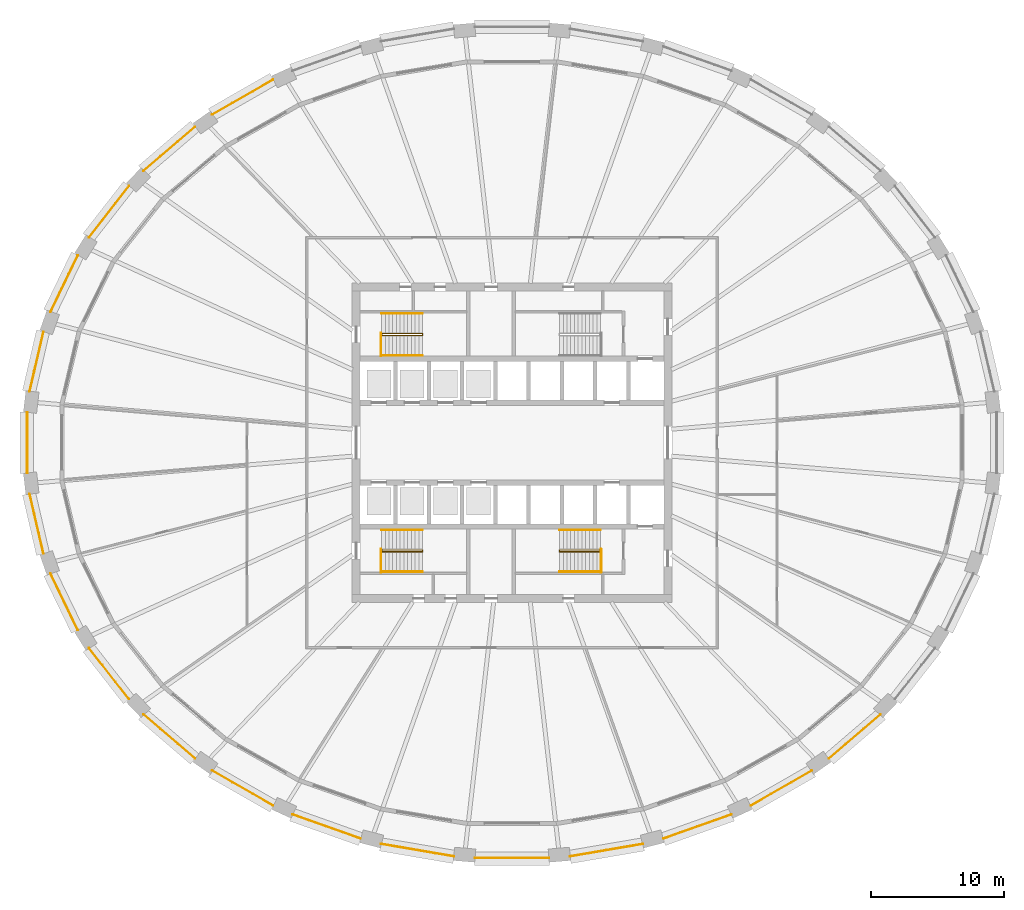
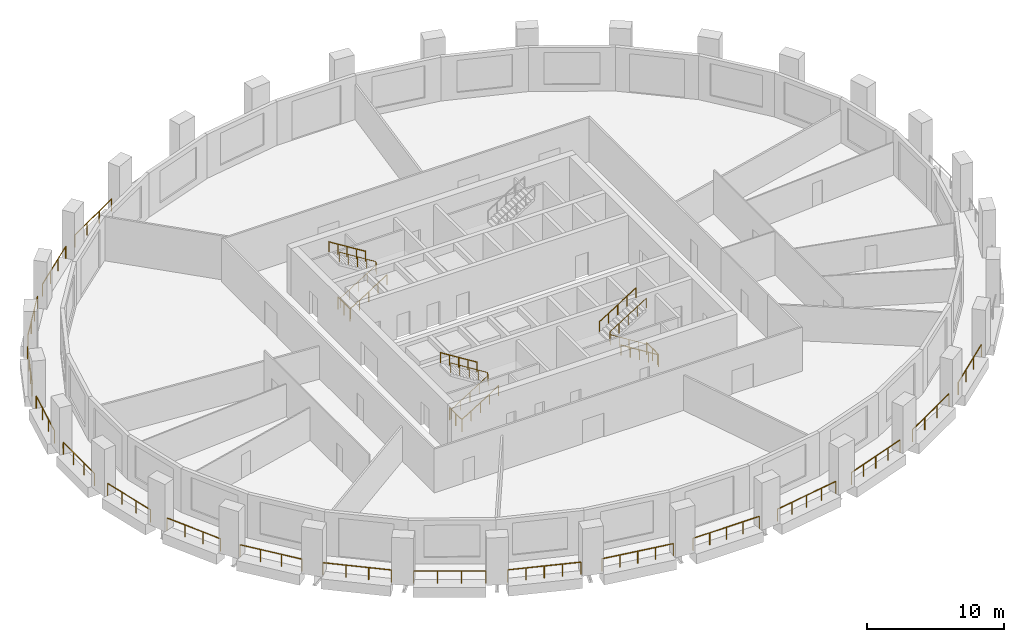
# One storey, part 9 of 11: 30 railings.
"""IFC4 building model written with IfcOpenShell, lengths in metres."""

from ifc_helpers import new_model, si_unit, direction, frame, origin, origin_2d, place, context, subcontext, project, spatial, circle, extrude, material, type_object, element, save


model = new_model("IFC4")

# Units and contexts
model_context = context("Model", 3, precision=1e-05, world=origin(), true_north=direction((0.0, 1.0)))
body_context = subcontext(model_context, "Body", "Model", "MODEL_VIEW")
ifc_project = project(units=[si_unit("LENGTHUNIT", "METRE"), si_unit("AREAUNIT", "SQUARE_METRE"), si_unit("VOLUMEUNIT", "CUBIC_METRE"), si_unit("PLANEANGLEUNIT", "RADIAN"), si_unit("MASSUNIT", "GRAM", prefix="KILO")], contexts=[model_context])

# Site, building, storey
site_placement = place(None, origin())
site = spatial("IfcSite", under=ifc_project, at=site_placement, CompositionType="ELEMENT")
building_placement = place(site_placement, origin())
building = spatial("IfcBuilding", under=site, at=building_placement, Name="Halqa Exchange Tower", CompositionType="ELEMENT")
storey_placement = place(building_placement, frame((0.0, 0.0, 82.300048828125)))
storey = spatial("IfcBuildingStorey", under=building, at=storey_placement, Name="L18", CompositionType="ELEMENT", Elevation=82.300048828125)

# Railings
ifc_material = material(Name="Stainless steel", Category="steel")
railing_type_1 = type_object("IfcRailingType", Name="Guard 1100 stainless steel", PredefinedType="GUARDRAIL", material=ifc_material)
railing_1_placement = place(storey_placement, frame((-17.941162109375, 27.259521484375, 0.0)))
element("IfcRailing", 1, at=railing_1_placement, inside=storey, type_object=railing_type_1, Name="Loggia guard 11", PredefinedType="GUARDRAIL", context=body_context, shape_type="SweptSolid", body=[
    extrude(circle(Radius=0.02392578125, at=origin_2d()), frame((0.0, 0.0, 1.076171875), z_axis=(-0.867763985316, -0.496976524383, 0.0), x_axis=(0.496976524383, -0.867763985316, 0.0)), (0.0, 0.0, 1.0), 5.272216796875),
    extrude(circle(Radius=0.02099609375, at=origin_2d()), origin(), (0.0, 0.0, 1.0), 1.052001953125),
    extrude(circle(Radius=0.02099609375, at=origin_2d()), frame((-1.52490234375, -0.873291015625, 0.0)), (0.0, 0.0, 1.0), 1.052001953125),
    extrude(circle(Radius=0.02099609375, at=origin_2d()), frame((-3.050048828125, -1.746826171875, 0.0)), (0.0, 0.0, 1.0), 1.052001953125),
    extrude(circle(Radius=0.02099609375, at=origin_2d()), frame((-4.574951171875, -2.6201171875, 0.0)), (0.0, 0.0, 1.0), 1.052001953125),
])
railing_2_placement = place(storey_placement, frame((-23.81787109375, 23.72119140625, 0.0)))
element("IfcRailing", 2, at=railing_2_placement, inside=storey, type_object=railing_type_1, Name="Loggia guard 12", PredefinedType="GUARDRAIL", context=body_context, shape_type="SweptSolid", body=[
    extrude(circle(Radius=0.02392578125, at=origin_2d()), frame((0.0, 0.0, 1.076171875), z_axis=(-0.759239638954, -0.65081116358, 0.0), x_axis=(0.65081116358, -0.759239638954, 0.0)), (0.0, 0.0, 1.0), 5.07958984375),
    extrude(circle(Radius=0.02099609375, at=origin_2d()), origin(), (0.0, 0.0, 1.0), 1.052001953125),
    extrude(circle(Radius=0.02099609375, at=origin_2d()), frame((-1.28564453125, -1.10205078125, 0.0)), (0.0, 0.0, 1.0), 1.052001953125),
    extrude(circle(Radius=0.02099609375, at=origin_2d()), frame((-2.571044921875, -2.203857421875, 0.0)), (0.0, 0.0, 1.0), 1.052001953125),
    extrude(circle(Radius=0.02099609375, at=origin_2d()), frame((-3.856689453125, -3.305908203125, 0.0)), (0.0, 0.0, 1.0), 1.052001953125),
])
railing_3_placement = place(storey_placement, frame((-28.773681640625, 19.263671875, 0.0)))
element("IfcRailing", 3, at=railing_3_placement, inside=storey, type_object=railing_type_1, Name="Loggia guard 13", PredefinedType="GUARDRAIL", context=body_context, shape_type="SweptSolid", body=[
    extrude(circle(Radius=0.02392578125, at=origin_2d()), frame((0.0, 0.0, 1.076171875), z_axis=(-0.614843957757, -0.788648785969, 0.0), x_axis=(0.788648785969, -0.614843957757, 0.0)), (0.0, 0.0, 1.0), 4.88134765625),
    extrude(circle(Radius=0.02099609375, at=origin_2d()), origin(), (0.0, 0.0, 1.0), 1.052001953125),
    extrude(circle(Radius=0.02099609375, at=origin_2d()), frame((-1.00048828125, -1.283203125, 0.0)), (0.0, 0.0, 1.0), 1.052001953125),
    extrude(circle(Radius=0.02099609375, at=origin_2d()), frame((-2.000732421875, -2.56640625, 0.0)), (0.0, 0.0, 1.0), 1.052001953125),
    extrude(circle(Radius=0.02099609375, at=origin_2d()), frame((-3.001220703125, -3.849609375, 0.0)), (0.0, 0.0, 1.0), 1.052001953125),
])
railing_4_placement = place(storey_placement, frame((-32.61474609375, 14.062744140625, 0.0)))
element("IfcRailing", 4, at=railing_4_placement, inside=storey, type_object=railing_type_1, Name="Loggia guard 14", PredefinedType="GUARDRAIL", context=body_context, shape_type="SweptSolid", body=[
    extrude(circle(Radius=0.02392578125, at=origin_2d()), frame((0.0, 0.0, 1.076171875), z_axis=(-0.435121720031, -0.900371639245, 0.0), x_axis=(0.900371639245, -0.435121720031, 0.0)), (0.0, 0.0, 1.0), 4.7080078125),
    extrude(circle(Radius=0.02099609375, at=origin_2d()), origin(), (0.0, 0.0, 1.0), 1.052001953125),
    extrude(circle(Radius=0.02099609375, at=origin_2d()), frame((-0.682861328125, -1.4130859375, 0.0)), (0.0, 0.0, 1.0), 1.052001953125),
    extrude(circle(Radius=0.02099609375, at=origin_2d()), frame((-1.36572265625, -2.825927734375, 0.0)), (0.0, 0.0, 1.0), 1.052001953125),
    extrude(circle(Radius=0.02099609375, at=origin_2d()), frame((-2.048583984375, -4.239013671875, 0.0)), (0.0, 0.0, 1.0), 1.052001953125),
])
railing_5_placement = place(storey_placement, frame((-35.1923828125, 8.32421875, 0.0)))
element("IfcRailing", 5, at=railing_5_placement, inside=storey, type_object=railing_type_1, Name="Loggia guard 15", PredefinedType="GUARDRAIL", context=body_context, shape_type="SweptSolid", body=[
    extrude(circle(Radius=0.02392578125, at=origin_2d()), frame((0.0, 0.0, 1.076171875), z_axis=(-0.226005331928, -0.974126064706, 0.0), x_axis=(0.974126064706, -0.226005331928, 0.0)), (0.0, 0.0, 1.0), 4.58984375),
    extrude(circle(Radius=0.02099609375, at=origin_2d()), origin(), (0.0, 0.0, 1.0), 1.052001953125),
    extrude(circle(Radius=0.02099609375, at=origin_2d()), frame((-0.345703125, -1.490478515625, 0.0)), (0.0, 0.0, 1.0), 1.052001953125),
    extrude(circle(Radius=0.02099609375, at=origin_2d()), frame((-0.691650390625, -2.980712890625, 0.0)), (0.0, 0.0, 1.0), 1.052001953125),
    extrude(circle(Radius=0.02099609375, at=origin_2d()), frame((-1.037353515625, -4.47119140625, 0.0)), (0.0, 0.0, 1.0), 1.052001953125),
])
railing_6_placement = place(storey_placement, frame((-36.41064453125, 2.273681640625, 0.0)))
element("IfcRailing", 6, at=railing_6_placement, inside=storey, type_object=railing_type_1, Name="Loggia guard 16", PredefinedType="GUARDRAIL", context=body_context, shape_type="SweptSolid", body=[
    extrude(circle(Radius=0.02392578125, at=origin_2d()), frame((0.0, 0.0, 1.076171875), z_axis=(0.0, -1.0, 0.0), x_axis=(1.0, 0.0, 0.0)), (0.0, 0.0, 1.0), 4.54736328125),
    extrude(circle(Radius=0.02099609375, at=origin_2d()), origin(), (0.0, 0.0, 1.0), 1.052001953125),
    extrude(circle(Radius=0.02099609375, at=origin_2d()), frame((0.0, -1.515869140625, 0.0)), (0.0, 0.0, 1.0), 1.052001953125),
    extrude(circle(Radius=0.02099609375, at=origin_2d()), frame((0.0, -3.031494140625, 0.0)), (0.0, 0.0, 1.0), 1.052001953125),
    extrude(circle(Radius=0.02099609375, at=origin_2d()), frame((0.0, -4.54736328125, 0.0)), (0.0, 0.0, 1.0), 1.052001953125),
])
railing_7_placement = place(storey_placement, frame((-36.229736328125, -3.85302734375, 0.0)))
element("IfcRailing", 7, at=railing_7_placement, inside=storey, type_object=railing_type_1, Name="Loggia guard 17", PredefinedType="GUARDRAIL", context=body_context, shape_type="SweptSolid", body=[
    extrude(circle(Radius=0.02392578125, at=origin_2d()), frame((0.0, 0.0, 1.076171875), z_axis=(0.226005331928, -0.974126064706, 0.0), x_axis=(0.974126064706, 0.226005331928, 0.0)), (0.0, 0.0, 1.0), 4.58984375),
    extrude(circle(Radius=0.02099609375, at=origin_2d()), origin(), (0.0, 0.0, 1.0), 1.052001953125),
    extrude(circle(Radius=0.02099609375, at=origin_2d()), frame((0.345703125, -1.490478515625, 0.0)), (0.0, 0.0, 1.0), 1.052001953125),
    extrude(circle(Radius=0.02099609375, at=origin_2d()), frame((0.691650390625, -2.980712890625, 0.0)), (0.0, 0.0, 1.0), 1.052001953125),
    extrude(circle(Radius=0.02099609375, at=origin_2d()), frame((1.037353515625, -4.47119140625, 0.0)), (0.0, 0.0, 1.0), 1.052001953125),
])
railing_8_placement = place(storey_placement, frame((-34.663330078125, -9.82373046875, 0.0)))
element("IfcRailing", 8, at=railing_8_placement, inside=storey, type_object=railing_type_1, Name="Loggia guard 18", PredefinedType="GUARDRAIL", context=body_context, shape_type="SweptSolid", body=[
    extrude(circle(Radius=0.02392578125, at=origin_2d()), frame((0.0, 0.0, 1.076171875), z_axis=(0.435121720031, -0.900371639245, 0.0), x_axis=(0.900371639245, 0.435121720031, 0.0)), (0.0, 0.0, 1.0), 4.7080078125),
    extrude(circle(Radius=0.02099609375, at=origin_2d()), origin(), (0.0, 0.0, 1.0), 1.052001953125),
    extrude(circle(Radius=0.02099609375, at=origin_2d()), frame((0.682861328125, -1.4130859375, 0.0)), (0.0, 0.0, 1.0), 1.052001953125),
    extrude(circle(Radius=0.02099609375, at=origin_2d()), frame((1.36572265625, -2.825927734375, 0.0)), (0.0, 0.0, 1.0), 1.052001953125),
    extrude(circle(Radius=0.02099609375, at=origin_2d()), frame((2.048583984375, -4.239013671875, 0.0)), (0.0, 0.0, 1.0), 1.052001953125),
])
railing_9_placement = place(storey_placement, frame((-31.77490234375, -15.4140625, 0.0)))
element("IfcRailing", 9, at=railing_9_placement, inside=storey, type_object=railing_type_1, Name="Loggia guard 19", PredefinedType="GUARDRAIL", context=body_context, shape_type="SweptSolid", body=[
    extrude(circle(Radius=0.02392578125, at=origin_2d()), frame((0.0, 0.0, 1.076171875), z_axis=(0.614843957757, -0.788648785969, 0.0), x_axis=(0.788648785969, 0.614843957757, 0.0)), (0.0, 0.0, 1.0), 4.88134765625),
    extrude(circle(Radius=0.02099609375, at=origin_2d()), origin(), (0.0, 0.0, 1.0), 1.052001953125),
    extrude(circle(Radius=0.02099609375, at=origin_2d()), frame((1.00048828125, -1.283203125, 0.0)), (0.0, 0.0, 1.0), 1.052001953125),
    extrude(circle(Radius=0.02099609375, at=origin_2d()), frame((2.000732421875, -2.56640625, 0.0)), (0.0, 0.0, 1.0), 1.052001953125),
    extrude(circle(Radius=0.02099609375, at=origin_2d()), frame((3.001220703125, -3.849609375, 0.0)), (0.0, 0.0, 1.0), 1.052001953125),
])
railing_10_placement = place(storey_placement, frame((-27.674560546875, -20.415283203125, 0.0)))
element("IfcRailing", 10, at=railing_10_placement, inside=storey, type_object=railing_type_1, Name="Loggia guard 20", PredefinedType="GUARDRAIL", context=body_context, shape_type="SweptSolid", body=[
    extrude(circle(Radius=0.02392578125, at=origin_2d()), frame((0.0, 0.0, 1.076171875), z_axis=(0.759239638954, -0.65081116358, 0.0), x_axis=(0.65081116358, 0.759239638954, 0.0)), (0.0, 0.0, 1.0), 5.07958984375),
    extrude(circle(Radius=0.02099609375, at=origin_2d()), origin(), (0.0, 0.0, 1.0), 1.052001953125),
    extrude(circle(Radius=0.02099609375, at=origin_2d()), frame((1.28564453125, -1.10205078125, 0.0)), (0.0, 0.0, 1.0), 1.052001953125),
    extrude(circle(Radius=0.02099609375, at=origin_2d()), frame((2.571044921875, -2.203857421875, 0.0)), (0.0, 0.0, 1.0), 1.052001953125),
    extrude(circle(Radius=0.02099609375, at=origin_2d()), frame((3.856689453125, -3.305908203125, 0.0)), (0.0, 0.0, 1.0), 1.052001953125),
])
railing_11_placement = place(storey_placement, frame((-22.51611328125, -24.639404296875, 0.0)))
element("IfcRailing", 11, at=railing_11_placement, inside=storey, type_object=railing_type_1, Name="Loggia guard 21", PredefinedType="GUARDRAIL", context=body_context, shape_type="SweptSolid", body=[
    extrude(circle(Radius=0.02392578125, at=origin_2d()), frame((0.0, 0.0, 1.076171875), z_axis=(0.867763985316, -0.496976524383, 0.0), x_axis=(0.496976524383, 0.867763985316, 0.0)), (0.0, 0.0, 1.0), 5.272216796875),
    extrude(circle(Radius=0.02099609375, at=origin_2d()), origin(), (0.0, 0.0, 1.0), 1.052001953125),
    extrude(circle(Radius=0.02099609375, at=origin_2d()), frame((1.52490234375, -0.873291015625, 0.0)), (0.0, 0.0, 1.0), 1.052001953125),
    extrude(circle(Radius=0.02099609375, at=origin_2d()), frame((3.050048828125, -1.746826171875, 0.0)), (0.0, 0.0, 1.0), 1.052001953125),
    extrude(circle(Radius=0.02099609375, at=origin_2d()), frame((4.574951171875, -2.6201171875, 0.0)), (0.0, 0.0, 1.0), 1.052001953125),
])
railing_12_placement = place(storey_placement, frame((-16.492919921875, -27.9248046875, 0.0)))
element("IfcRailing", 12, at=railing_12_placement, inside=storey, type_object=railing_type_1, Name="Loggia guard 22", PredefinedType="GUARDRAIL", context=body_context, shape_type="SweptSolid", body=[
    extrude(circle(Radius=0.02392578125, at=origin_2d()), frame((0.0, 0.0, 1.076171875), z_axis=(0.942359637488, -0.334601723895, 0.0), x_axis=(0.334601723895, 0.942359637488, 0.0)), (0.0, 0.0, 1.0), 5.431396484375),
    extrude(circle(Radius=0.02099609375, at=origin_2d()), origin(), (0.0, 0.0, 1.0), 1.052001953125),
    extrude(circle(Radius=0.02099609375, at=origin_2d()), frame((1.279541015625, -0.454345703125, 0.0)), (0.0, 0.0, 1.0), 1.052001953125),
    extrude(circle(Radius=0.02099609375, at=origin_2d()), frame((2.55908203125, -0.90869140625, 0.0)), (0.0, 0.0, 1.0), 1.052001953125),
    extrude(circle(Radius=0.02099609375, at=origin_2d()), frame((3.8388671875, -1.363037109375, 0.0)), (0.0, 0.0, 1.0), 1.052001953125),
    extrude(circle(Radius=0.02099609375, at=origin_2d()), frame((5.118408203125, -1.8173828125, 0.0)), (0.0, 0.0, 1.0), 1.052001953125),
])
railing_13_placement = place(storey_placement, frame((-9.83203125, -30.144287109375, 0.0)))
element("IfcRailing", 13, at=railing_13_placement, inside=storey, type_object=railing_type_1, Name="Loggia guard 23", PredefinedType="GUARDRAIL", context=body_context, shape_type="SweptSolid", body=[
    extrude(circle(Radius=0.02392578125, at=origin_2d()), frame((0.0, 0.0, 1.076171875), z_axis=(0.985775655673, -0.168066524573, 0.0), x_axis=(0.168066524573, 0.985775655673, 0.0)), (0.0, 0.0, 1.0), 5.5361328125),
    extrude(circle(Radius=0.02099609375, at=origin_2d()), origin(), (0.0, 0.0, 1.0), 1.052001953125),
    extrude(circle(Radius=0.02099609375, at=origin_2d()), frame((1.3642578125, -0.232666015625, 0.0)), (0.0, 0.0, 1.0), 1.052001953125),
    extrude(circle(Radius=0.02099609375, at=origin_2d()), frame((2.728515625, -0.46533203125, 0.0)), (0.0, 0.0, 1.0), 1.052001953125),
    extrude(circle(Radius=0.02099609375, at=origin_2d()), frame((4.093017578125, -0.69775390625, 0.0)), (0.0, 0.0, 1.0), 1.052001953125),
    extrude(circle(Radius=0.02099609375, at=origin_2d()), frame((5.457275390625, -0.930419921875, 0.0)), (0.0, 0.0, 1.0), 1.052001953125),
])
railing_14_placement = place(storey_placement, frame((-2.7861328125, -31.208984375, 0.0)))
element("IfcRailing", 14, at=railing_14_placement, inside=storey, type_object=railing_type_1, Name="Loggia guard 24", PredefinedType="GUARDRAIL", context=body_context, shape_type="SweptSolid", body=[
    extrude(circle(Radius=0.02392578125, at=origin_2d()), frame((0.0, 0.0, 1.076171875), z_axis=(1.0, 0.0, 0.0), x_axis=(0.0, 1.0, 0.0)), (0.0, 0.0, 1.0), 5.572265625),
    extrude(circle(Radius=0.02099609375, at=origin_2d()), origin(), (0.0, 0.0, 1.0), 1.052001953125),
    extrude(circle(Radius=0.02099609375, at=origin_2d()), frame((1.39306640625, 0.0, 0.0)), (0.0, 0.0, 1.0), 1.052001953125),
    extrude(circle(Radius=0.02099609375, at=origin_2d()), frame((2.7861328125, 0.0, 0.0)), (0.0, 0.0, 1.0), 1.052001953125),
    extrude(circle(Radius=0.02099609375, at=origin_2d()), frame((4.17919921875, 0.0, 0.0)), (0.0, 0.0, 1.0), 1.052001953125),
    extrude(circle(Radius=0.02099609375, at=origin_2d()), frame((5.572265625, 0.0, 0.0)), (0.0, 0.0, 1.0), 1.052001953125),
])
railing_15_placement = place(storey_placement, frame((4.374755859375, -31.07470703125, 0.0)))
element("IfcRailing", 15, at=railing_15_placement, inside=storey, type_object=railing_type_1, Name="Loggia guard 25", PredefinedType="GUARDRAIL", context=body_context, shape_type="SweptSolid", body=[
    extrude(circle(Radius=0.02392578125, at=origin_2d()), frame((0.0, 0.0, 1.076171875), z_axis=(0.985775655673, 0.168066524573, 0.0), x_axis=(-0.168066524573, 0.985775655673, 0.0)), (0.0, 0.0, 1.0), 5.5361328125),
    extrude(circle(Radius=0.02099609375, at=origin_2d()), origin(), (0.0, 0.0, 1.0), 1.052001953125),
    extrude(circle(Radius=0.02099609375, at=origin_2d()), frame((1.3642578125, 0.232666015625, 0.0)), (0.0, 0.0, 1.0), 1.052001953125),
    extrude(circle(Radius=0.02099609375, at=origin_2d()), frame((2.728515625, 0.46533203125, 0.0)), (0.0, 0.0, 1.0), 1.052001953125),
    extrude(circle(Radius=0.02099609375, at=origin_2d()), frame((4.093017578125, 0.69775390625, 0.0)), (0.0, 0.0, 1.0), 1.052001953125),
    extrude(circle(Radius=0.02099609375, at=origin_2d()), frame((5.457275390625, 0.930419921875, 0.0)), (0.0, 0.0, 1.0), 1.052001953125),
])
railing_16_placement = place(storey_placement, frame((11.37451171875, -29.7421875, 0.0)))
element("IfcRailing", 16, at=railing_16_placement, inside=storey, type_object=railing_type_1, Name="Loggia guard 26", PredefinedType="GUARDRAIL", context=body_context, shape_type="SweptSolid", body=[
    extrude(circle(Radius=0.02392578125, at=origin_2d()), frame((0.0, 0.0, 1.076171875), z_axis=(0.942359637488, 0.334601723895, 0.0), x_axis=(-0.334601723895, 0.942359637488, 0.0)), (0.0, 0.0, 1.0), 5.431396484375),
    extrude(circle(Radius=0.02099609375, at=origin_2d()), origin(), (0.0, 0.0, 1.0), 1.052001953125),
    extrude(circle(Radius=0.02099609375, at=origin_2d()), frame((1.279541015625, 0.454345703125, 0.0)), (0.0, 0.0, 1.0), 1.052001953125),
    extrude(circle(Radius=0.02099609375, at=origin_2d()), frame((2.55908203125, 0.90869140625, 0.0)), (0.0, 0.0, 1.0), 1.052001953125),
    extrude(circle(Radius=0.02099609375, at=origin_2d()), frame((3.8388671875, 1.363037109375, 0.0)), (0.0, 0.0, 1.0), 1.052001953125),
    extrude(circle(Radius=0.02099609375, at=origin_2d()), frame((5.118408203125, 1.8173828125, 0.0)), (0.0, 0.0, 1.0), 1.052001953125),
])
railing_17_placement = place(storey_placement, frame((17.941162109375, -27.259521484375, 0.0)))
element("IfcRailing", 17, at=railing_17_placement, inside=storey, type_object=railing_type_1, Name="Loggia guard 27", PredefinedType="GUARDRAIL", context=body_context, shape_type="SweptSolid", body=[
    extrude(circle(Radius=0.02392578125, at=origin_2d()), frame((0.0, 0.0, 1.076171875), z_axis=(0.867763985316, 0.496976524383, 0.0), x_axis=(-0.496976524383, 0.867763985316, 0.0)), (0.0, 0.0, 1.0), 5.272216796875),
    extrude(circle(Radius=0.02099609375, at=origin_2d()), origin(), (0.0, 0.0, 1.0), 1.052001953125),
    extrude(circle(Radius=0.02099609375, at=origin_2d()), frame((1.52490234375, 0.873291015625, 0.0)), (0.0, 0.0, 1.0), 1.052001953125),
    extrude(circle(Radius=0.02099609375, at=origin_2d()), frame((3.050048828125, 1.746826171875, 0.0)), (0.0, 0.0, 1.0), 1.052001953125),
    extrude(circle(Radius=0.02099609375, at=origin_2d()), frame((4.574951171875, 2.6201171875, 0.0)), (0.0, 0.0, 1.0), 1.052001953125),
])
railing_18_placement = place(storey_placement, frame((23.81787109375, -23.72119140625, 0.0)))
element("IfcRailing", 18, at=railing_18_placement, inside=storey, type_object=railing_type_1, Name="Loggia guard 28", PredefinedType="GUARDRAIL", context=body_context, shape_type="SweptSolid", body=[
    extrude(circle(Radius=0.02392578125, at=origin_2d()), frame((0.0, 0.0, 1.076171875), z_axis=(0.759239638954, 0.65081116358, 0.0), x_axis=(-0.65081116358, 0.759239638954, 0.0)), (0.0, 0.0, 1.0), 5.07958984375),
    extrude(circle(Radius=0.02099609375, at=origin_2d()), origin(), (0.0, 0.0, 1.0), 1.052001953125),
    extrude(circle(Radius=0.02099609375, at=origin_2d()), frame((1.28564453125, 1.10205078125, 0.0)), (0.0, 0.0, 1.0), 1.052001953125),
    extrude(circle(Radius=0.02099609375, at=origin_2d()), frame((2.571044921875, 2.203857421875, 0.0)), (0.0, 0.0, 1.0), 1.052001953125),
    extrude(circle(Radius=0.02099609375, at=origin_2d()), frame((3.856689453125, 3.305908203125, 0.0)), (0.0, 0.0, 1.0), 1.052001953125),
])
railing_type_2 = type_object("IfcRailingType", Name="Stair handrail 900", PredefinedType="HANDRAIL", material=ifc_material)
railing_19_placement = place(storey_placement, frame((-9.800048828125, 8.06005859375, 0.175048828125)))
element("IfcRailing", 19, at=railing_19_placement, inside=storey, type_object=railing_type_2, Name="Handrail ST1.1", PredefinedType="HANDRAIL", context=body_context, shape_type="SweptSolid", body=[
    extrude(circle(Radius=0.02392578125, at=origin_2d()), frame((0.0, 0.0, 0.8759765625), z_axis=(0.848028513186, 0.0, 0.529950602248), x_axis=(0.0, 1.0, 0.0)), (0.0, 0.0, 1.0), 3.632080078125),
    extrude(circle(Radius=0.02392578125, at=origin_2d()), frame((3.080078125, 0.0, 2.80078125), z_axis=(0.0, 0.595870227118, 0.803080738428), x_axis=(-1.0, 0.0, 0.0)), (0.0, 0.0, 1.0), 0.218017578125),
    extrude(circle(Radius=0.02392578125, at=origin_2d()), frame((3.080078125, 0.1298828125, 2.9755859375), z_axis=(-0.847998304005, 0.0, 0.529998940003), x_axis=(0.0, -1.0, 0.0)), (0.0, 0.0, 1.0), 3.632080078125),
    extrude(circle(Radius=0.02099609375, at=origin_2d()), origin(), (0.0, 0.0, 1.0), 0.851806640625),
    extrude(circle(Radius=0.02099609375, at=origin_2d()), frame((0.77001953125, 0.0, 0.481201171875)), (0.0, 0.0, 1.0), 0.851806640625),
    extrude(circle(Radius=0.02099609375, at=origin_2d()), frame((1.5400390625, 0.0, 0.96240234375)), (0.0, 0.0, 1.0), 0.851806640625),
    extrude(circle(Radius=0.02099609375, at=origin_2d()), frame((2.31005859375, 0.0, 1.443603515625)), (0.0, 0.0, 1.0), 0.851806640625),
    extrude(circle(Radius=0.02099609375, at=origin_2d()), frame((3.080078125, 0.0, 1.9248046875)), (0.0, 0.0, 1.0), 0.851806640625),
    extrude(circle(Radius=0.02099609375, at=origin_2d()), frame((3.080078125, 0.1298828125, 2.099853515625)), (0.0, 0.0, 1.0), 0.851806640625),
    extrude(circle(Radius=0.02099609375, at=origin_2d()), frame((2.31005859375, 0.1298828125, 2.5810546875)), (0.0, 0.0, 1.0), 0.851806640625),
    extrude(circle(Radius=0.02099609375, at=origin_2d()), frame((1.5400390625, 0.1298828125, 3.0625)), (0.0, 0.0, 1.0), 0.851806640625),
    extrude(circle(Radius=0.02099609375, at=origin_2d()), frame((0.77001953125, 0.1298828125, 3.543701171875)), (0.0, 0.0, 1.0), 0.851806640625),
    extrude(circle(Radius=0.02099609375, at=origin_2d()), frame((0.0, 0.1298828125, 4.02490234375)), (0.0, 0.0, 1.0), 0.851806640625),
])
railing_20_placement = place(storey_placement, frame((-9.800048828125, 6.550048828125, 0.175048828125)))
element("IfcRailing", 20, at=railing_20_placement, inside=storey, type_object=railing_type_2, Name="Handrail ST1.2", PredefinedType="HANDRAIL", context=body_context, shape_type="SweptSolid", body=[
    extrude(circle(Radius=0.02392578125, at=origin_2d()), frame((0.0, 0.0, 0.8759765625), z_axis=(0.848028513186, 0.0, 0.529950602248), x_axis=(0.0, 1.0, 0.0)), (0.0, 0.0, 1.0), 3.632080078125),
    extrude(circle(Radius=0.02099609375, at=origin_2d()), origin(), (0.0, 0.0, 1.0), 0.851806640625),
    extrude(circle(Radius=0.02099609375, at=origin_2d()), frame((0.77001953125, 0.0, 0.481201171875)), (0.0, 0.0, 1.0), 0.851806640625),
    extrude(circle(Radius=0.02099609375, at=origin_2d()), frame((1.5400390625, 0.0, 0.96240234375)), (0.0, 0.0, 1.0), 0.851806640625),
    extrude(circle(Radius=0.02099609375, at=origin_2d()), frame((2.31005859375, 0.0, 1.443603515625)), (0.0, 0.0, 1.0), 0.851806640625),
    extrude(circle(Radius=0.02099609375, at=origin_2d()), frame((3.080078125, 0.0, 1.9248046875)), (0.0, 0.0, 1.0), 0.851806640625),
])
railing_21_placement = place(storey_placement, frame((-6.719970703125, 9.699951171875, 2.27490234375)))
element("IfcRailing", 21, at=railing_21_placement, inside=storey, type_object=railing_type_2, Name="Handrail ST1.3", PredefinedType="HANDRAIL", context=body_context, shape_type="SweptSolid", body=[
    extrude(circle(Radius=0.02392578125, at=origin_2d()), frame((0.0, 0.0, 0.8759765625), z_axis=(-0.847998304005, 0.0, 0.529998940003), x_axis=(0.0, -1.0, 0.0)), (0.0, 0.0, 1.0), 3.632080078125),
    extrude(circle(Radius=0.02099609375, at=origin_2d()), origin(), (0.0, 0.0, 1.0), 0.851806640625),
    extrude(circle(Radius=0.02099609375, at=origin_2d()), frame((-0.77001953125, 0.0, 0.481201171875)), (0.0, 0.0, 1.0), 0.851806640625),
    extrude(circle(Radius=0.02099609375, at=origin_2d()), frame((-1.5400390625, 0.0, 0.96240234375)), (0.0, 0.0, 1.0), 0.851806640625),
    extrude(circle(Radius=0.02099609375, at=origin_2d()), frame((-2.31005859375, 0.0, 1.44384765625)), (0.0, 0.0, 1.0), 0.851806640625),
    extrude(circle(Radius=0.02099609375, at=origin_2d()), frame((-3.080078125, 0.0, 1.925048828125)), (0.0, 0.0, 1.0), 0.851806640625),
])
railing_22_placement = place(storey_placement, frame((-9.800048828125, -8.18994140625, 0.175048828125)))
element("IfcRailing", 22, at=railing_22_placement, inside=storey, type_object=railing_type_2, Name="Handrail ST3.1", PredefinedType="HANDRAIL", context=body_context, shape_type="SweptSolid", body=[
    extrude(circle(Radius=0.02392578125, at=origin_2d()), frame((0.0, 0.0, 0.8759765625), z_axis=(0.848028513186, 0.0, 0.529950602248), x_axis=(0.0, 1.0, 0.0)), (0.0, 0.0, 1.0), 3.632080078125),
    extrude(circle(Radius=0.02392578125, at=origin_2d()), frame((3.080078125, 0.0, 2.80078125), z_axis=(0.0, 0.595870227118, 0.803080738428), x_axis=(-1.0, 0.0, 0.0)), (0.0, 0.0, 1.0), 0.218017578125),
    extrude(circle(Radius=0.02392578125, at=origin_2d()), frame((3.080078125, 0.1298828125, 2.9755859375), z_axis=(-0.847998304005, 0.0, 0.529998940003), x_axis=(0.0, -1.0, 0.0)), (0.0, 0.0, 1.0), 3.632080078125),
    extrude(circle(Radius=0.02099609375, at=origin_2d()), origin(), (0.0, 0.0, 1.0), 0.851806640625),
    extrude(circle(Radius=0.02099609375, at=origin_2d()), frame((0.77001953125, 0.0, 0.481201171875)), (0.0, 0.0, 1.0), 0.851806640625),
    extrude(circle(Radius=0.02099609375, at=origin_2d()), frame((1.5400390625, 0.0, 0.96240234375)), (0.0, 0.0, 1.0), 0.851806640625),
    extrude(circle(Radius=0.02099609375, at=origin_2d()), frame((2.31005859375, 0.0, 1.443603515625)), (0.0, 0.0, 1.0), 0.851806640625),
    extrude(circle(Radius=0.02099609375, at=origin_2d()), frame((3.080078125, 0.0, 1.9248046875)), (0.0, 0.0, 1.0), 0.851806640625),
    extrude(circle(Radius=0.02099609375, at=origin_2d()), frame((3.080078125, 0.1298828125, 2.099853515625)), (0.0, 0.0, 1.0), 0.851806640625),
    extrude(circle(Radius=0.02099609375, at=origin_2d()), frame((2.31005859375, 0.1298828125, 2.5810546875)), (0.0, 0.0, 1.0), 0.851806640625),
    extrude(circle(Radius=0.02099609375, at=origin_2d()), frame((1.5400390625, 0.1298828125, 3.0625)), (0.0, 0.0, 1.0), 0.851806640625),
    extrude(circle(Radius=0.02099609375, at=origin_2d()), frame((0.77001953125, 0.1298828125, 3.543701171875)), (0.0, 0.0, 1.0), 0.851806640625),
    extrude(circle(Radius=0.02099609375, at=origin_2d()), frame((0.0, 0.1298828125, 4.02490234375)), (0.0, 0.0, 1.0), 0.851806640625),
])
railing_23_placement = place(storey_placement, frame((-9.800048828125, -9.699951171875, 0.175048828125)))
element("IfcRailing", 23, at=railing_23_placement, inside=storey, type_object=railing_type_2, Name="Handrail ST3.2", PredefinedType="HANDRAIL", context=body_context, shape_type="SweptSolid", body=[
    extrude(circle(Radius=0.02392578125, at=origin_2d()), frame((0.0, 0.0, 0.8759765625), z_axis=(0.848028513186, 0.0, 0.529950602248), x_axis=(0.0, 1.0, 0.0)), (0.0, 0.0, 1.0), 3.632080078125),
    extrude(circle(Radius=0.02099609375, at=origin_2d()), origin(), (0.0, 0.0, 1.0), 0.851806640625),
    extrude(circle(Radius=0.02099609375, at=origin_2d()), frame((0.77001953125, 0.0, 0.481201171875)), (0.0, 0.0, 1.0), 0.851806640625),
    extrude(circle(Radius=0.02099609375, at=origin_2d()), frame((1.5400390625, 0.0, 0.96240234375)), (0.0, 0.0, 1.0), 0.851806640625),
    extrude(circle(Radius=0.02099609375, at=origin_2d()), frame((2.31005859375, 0.0, 1.443603515625)), (0.0, 0.0, 1.0), 0.851806640625),
    extrude(circle(Radius=0.02099609375, at=origin_2d()), frame((3.080078125, 0.0, 1.9248046875)), (0.0, 0.0, 1.0), 0.851806640625),
])
railing_24_placement = place(storey_placement, frame((-6.719970703125, -6.550048828125, 2.27490234375)))
element("IfcRailing", 24, at=railing_24_placement, inside=storey, type_object=railing_type_2, Name="Handrail ST3.3", PredefinedType="HANDRAIL", context=body_context, shape_type="SweptSolid", body=[
    extrude(circle(Radius=0.02392578125, at=origin_2d()), frame((0.0, 0.0, 0.8759765625), z_axis=(-0.847998304005, 0.0, 0.529998940003), x_axis=(0.0, -1.0, 0.0)), (0.0, 0.0, 1.0), 3.632080078125),
    extrude(circle(Radius=0.02099609375, at=origin_2d()), origin(), (0.0, 0.0, 1.0), 0.851806640625),
    extrude(circle(Radius=0.02099609375, at=origin_2d()), frame((-0.77001953125, 0.0, 0.481201171875)), (0.0, 0.0, 1.0), 0.851806640625),
    extrude(circle(Radius=0.02099609375, at=origin_2d()), frame((-1.5400390625, 0.0, 0.96240234375)), (0.0, 0.0, 1.0), 0.851806640625),
    extrude(circle(Radius=0.02099609375, at=origin_2d()), frame((-2.31005859375, 0.0, 1.44384765625)), (0.0, 0.0, 1.0), 0.851806640625),
    extrude(circle(Radius=0.02099609375, at=origin_2d()), frame((-3.080078125, 0.0, 1.925048828125)), (0.0, 0.0, 1.0), 0.851806640625),
])
railing_25_placement = place(storey_placement, frame((6.64990234375, -8.18994140625, 0.175048828125)))
element("IfcRailing", 25, at=railing_25_placement, inside=storey, type_object=railing_type_2, Name="Handrail ST4.1", PredefinedType="HANDRAIL", context=body_context, shape_type="SweptSolid", body=[
    extrude(circle(Radius=0.02392578125, at=origin_2d()), frame((0.0, 0.0, 0.8759765625), z_axis=(-0.848009633417, 0.0, 0.529980812513), x_axis=(0.0, -1.0, 0.0)), (0.0, 0.0, 1.0), 3.6318359375),
    extrude(circle(Radius=0.02392578125, at=origin_2d()), frame((-3.079833984375, 0.0, 2.80078125), z_axis=(0.0, 0.595870227118, 0.803080738428), x_axis=(-1.0, 0.0, 0.0)), (0.0, 0.0, 1.0), 0.218017578125),
    extrude(circle(Radius=0.02392578125, at=origin_2d()), frame((-3.079833984375, 0.1298828125, 2.9755859375), z_axis=(0.847979421464, 0.0, 0.530029150871), x_axis=(0.0, 1.0, 0.0)), (0.0, 0.0, 1.0), 3.632080078125),
    extrude(circle(Radius=0.02099609375, at=origin_2d()), origin(), (0.0, 0.0, 1.0), 0.851806640625),
    extrude(circle(Radius=0.02099609375, at=origin_2d()), frame((-0.77001953125, 0.0, 0.481201171875)), (0.0, 0.0, 1.0), 0.851806640625),
    extrude(circle(Radius=0.02099609375, at=origin_2d()), frame((-1.5400390625, 0.0, 0.96240234375)), (0.0, 0.0, 1.0), 0.851806640625),
    extrude(circle(Radius=0.02099609375, at=origin_2d()), frame((-2.309814453125, 0.0, 1.443603515625)), (0.0, 0.0, 1.0), 0.851806640625),
    extrude(circle(Radius=0.02099609375, at=origin_2d()), frame((-3.079833984375, 0.0, 1.9248046875)), (0.0, 0.0, 1.0), 0.851806640625),
    extrude(circle(Radius=0.02099609375, at=origin_2d()), frame((-3.079833984375, 0.1298828125, 2.099853515625)), (0.0, 0.0, 1.0), 0.851806640625),
    extrude(circle(Radius=0.02099609375, at=origin_2d()), frame((-2.309814453125, 0.1298828125, 2.5810546875)), (0.0, 0.0, 1.0), 0.851806640625),
    extrude(circle(Radius=0.02099609375, at=origin_2d()), frame((-1.5400390625, 0.1298828125, 3.0625)), (0.0, 0.0, 1.0), 0.851806640625),
    extrude(circle(Radius=0.02099609375, at=origin_2d()), frame((-0.77001953125, 0.1298828125, 3.543701171875)), (0.0, 0.0, 1.0), 0.851806640625),
    extrude(circle(Radius=0.02099609375, at=origin_2d()), frame((0.0, 0.1298828125, 4.02490234375)), (0.0, 0.0, 1.0), 0.851806640625),
])
railing_26_placement = place(storey_placement, frame((6.64990234375, -9.699951171875, 0.175048828125)))
element("IfcRailing", 26, at=railing_26_placement, inside=storey, type_object=railing_type_2, Name="Handrail ST4.2", PredefinedType="HANDRAIL", context=body_context, shape_type="SweptSolid", body=[
    extrude(circle(Radius=0.02392578125, at=origin_2d()), frame((0.0, 0.0, 0.8759765625), z_axis=(-0.848009633417, 0.0, 0.529980812513), x_axis=(0.0, -1.0, 0.0)), (0.0, 0.0, 1.0), 3.6318359375),
    extrude(circle(Radius=0.02099609375, at=origin_2d()), origin(), (0.0, 0.0, 1.0), 0.851806640625),
    extrude(circle(Radius=0.02099609375, at=origin_2d()), frame((-0.77001953125, 0.0, 0.481201171875)), (0.0, 0.0, 1.0), 0.851806640625),
    extrude(circle(Radius=0.02099609375, at=origin_2d()), frame((-1.5400390625, 0.0, 0.96240234375)), (0.0, 0.0, 1.0), 0.851806640625),
    extrude(circle(Radius=0.02099609375, at=origin_2d()), frame((-2.309814453125, 0.0, 1.443603515625)), (0.0, 0.0, 1.0), 0.851806640625),
    extrude(circle(Radius=0.02099609375, at=origin_2d()), frame((-3.079833984375, 0.0, 1.9248046875)), (0.0, 0.0, 1.0), 0.851806640625),
])
railing_27_placement = place(storey_placement, frame((3.570068359375, -6.550048828125, 2.27490234375)))
element("IfcRailing", 27, at=railing_27_placement, inside=storey, type_object=railing_type_2, Name="Handrail ST4.3", PredefinedType="HANDRAIL", context=body_context, shape_type="SweptSolid", body=[
    extrude(circle(Radius=0.02392578125, at=origin_2d()), frame((0.0, 0.0, 0.8759765625), z_axis=(0.847979421464, 0.0, 0.530029150871), x_axis=(0.0, 1.0, 0.0)), (0.0, 0.0, 1.0), 3.632080078125),
    extrude(circle(Radius=0.02099609375, at=origin_2d()), origin(), (0.0, 0.0, 1.0), 0.851806640625),
    extrude(circle(Radius=0.02099609375, at=origin_2d()), frame((0.77001953125, 0.0, 0.481201171875)), (0.0, 0.0, 1.0), 0.851806640625),
    extrude(circle(Radius=0.02099609375, at=origin_2d()), frame((1.5400390625, 0.0, 0.96240234375)), (0.0, 0.0, 1.0), 0.851806640625),
    extrude(circle(Radius=0.02099609375, at=origin_2d()), frame((2.309814453125, 0.0, 1.44384765625)), (0.0, 0.0, 1.0), 0.851806640625),
    extrude(circle(Radius=0.02099609375, at=origin_2d()), frame((3.079833984375, 0.0, 1.925048828125)), (0.0, 0.0, 1.0), 0.851806640625),
])
railing_type_3 = type_object("IfcRailingType", Name="Stair well guard 1100", PredefinedType="GUARDRAIL", material=ifc_material)
for number, where, name in (
    (28, (-9.85009765625, 6.5, 0.0), "Guard ST1 well"),
    (29, (-9.85009765625, -9.75, 0.0), "Guard ST3 well"),
    (30, (6.699951171875, -9.75, 0.0), "Guard ST4 well"),
):
    element("IfcRailing", number, at=place(storey_placement, frame(where)), inside=storey, type_object=railing_type_3, Name=name, PredefinedType="GUARDRAIL", context=body_context, shape_type="SweptSolid", body=[
        extrude(circle(Radius=0.02392578125, at=origin_2d()), frame((0.0, 0.0, 1.076171875), z_axis=(0.0, 1.0, 0.0), x_axis=(-1.0, 0.0, 0.0)), (0.0, 0.0, 1.0), 1.75),
        extrude(circle(Radius=0.02099609375, at=origin_2d()), origin(), (0.0, 0.0, 1.0), 1.052001953125),
        extrude(circle(Radius=0.02099609375, at=origin_2d()), frame((0.0, 0.875, 0.0)), (0.0, 0.0, 1.0), 1.052001953125),
        extrude(circle(Radius=0.02099609375, at=origin_2d()), frame((0.0, 1.75, 0.0)), (0.0, 0.0, 1.0), 1.052001953125),
    ])

save(model, "model.ifc")
